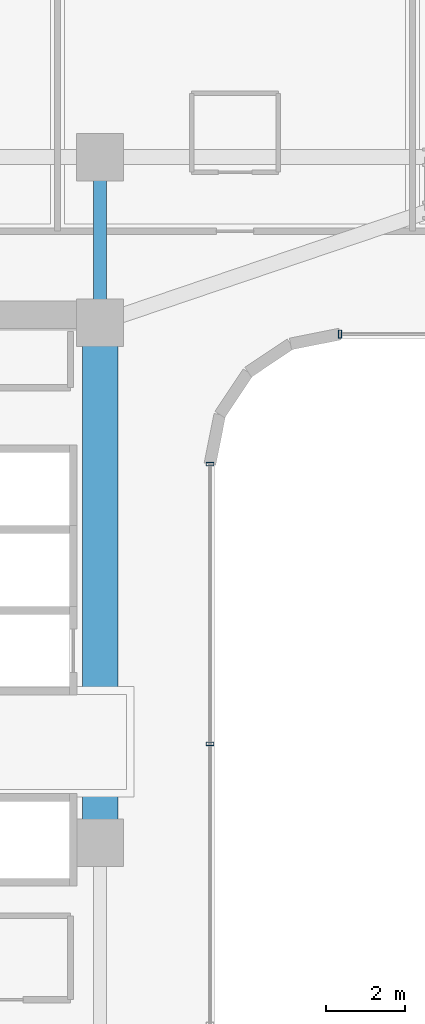
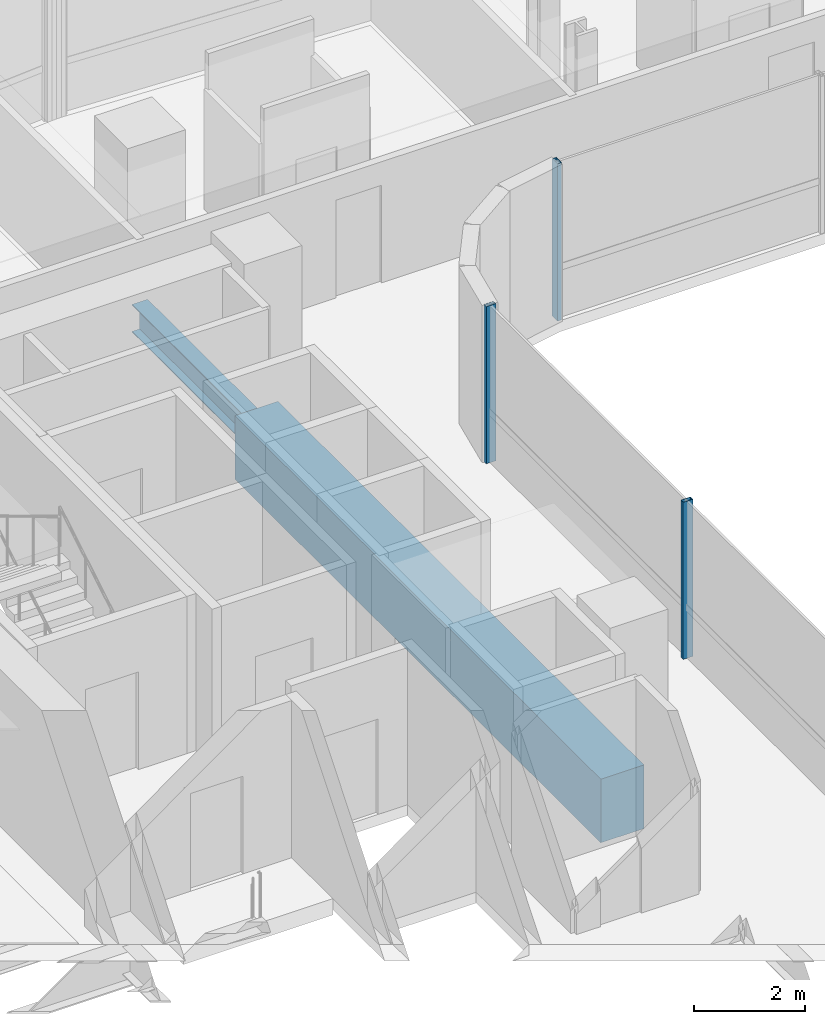
# One storey, part 9 of 35: 3 members, 2 beams, 2 elements without a shape of their own.
"""IFC4 building model written with IfcOpenShell, lengths in metres."""

from ifc_helpers import new_model, si_unit, direction, frame, origin, origin_2d, place, context, subcontext, project, spatial, rectangle, hollow_rectangle, i_section, extrude, source, transform, mapped, material, material_profile, profile_set, type_object, element, aggregate, save


model = new_model("IFC4")

# Units and contexts
model_context = context("Model", 3, precision=1e-05, world=origin(), true_north=direction((0.0, 1.0)))
body_context = subcontext(model_context, "Body", "Model", "MODEL_VIEW")
ifc_project = project(units=[si_unit("LENGTHUNIT", "METRE"), si_unit("AREAUNIT", "SQUARE_METRE"), si_unit("VOLUMEUNIT", "CUBIC_METRE"), si_unit("PLANEANGLEUNIT", "RADIAN"), si_unit("MASSUNIT", "GRAM", prefix="KILO")], contexts=[model_context])

# Site, building, storey
site_placement = place(None, origin())
site = spatial("IfcSite", under=ifc_project, at=site_placement, CompositionType="ELEMENT")
building_placement = place(site_placement, origin())
building = spatial("IfcBuilding", under=site, at=building_placement, Name="Valdorenza Pilgrim Sanctuary Tower", CompositionType="ELEMENT")
storey_placement = place(building_placement, frame((0.0, 0.0, 113.10009765625)))
storey = spatial("IfcBuildingStorey", under=building, at=storey_placement, Name="L28", CompositionType="ELEMENT", Elevation=113.10009765625)

# Beams
ifc_material_1 = material(Name="Concrete C60/75", Category="concrete")
ifc_material_profile_1 = material_profile(ifc_material_1, rectangle(XDim=0.89990234375, YDim=1.39990234375, at=origin_2d()), Name="RC 1400x900")
ifc_profile_set_1 = profile_set([ifc_material_profile_1], Name="Concrete C60/75")
beam_type_1 = type_object("IfcBeamType", Name="STR-BM-LNT-1400", PredefinedType="LINTEL", material=ifc_profile_set_1)
shared_shape_1 = source(origin(), body_context, "Body", "SweptSolid", [
    extrude(rectangle(XDim=0.89990234375, YDim=1.39990234375, at=origin_2d()), origin(), (0.0, 0.0, 1.0), 13.2001953125),
])
beam_1_placement = place(storey_placement, frame((-12.39990234375, -2.60009765625, -0.739990234375), z_axis=(0.0, 1.0, 0.0), x_axis=(-1.0, 0.0, 0.0)))
element("IfcBeam", 1, at=beam_1_placement, inside=storey, type_object=beam_type_1, Name="L28 Core A Coupling Lintel Girder", PredefinedType="LINTEL", context=body_context, shape_type="MappedRepresentation", body=[
    mapped(shared_shape_1, transform((0.0, 0.0, 0.0), x_axis=(1.0, 0.0, 0.0), y_axis=(0.0, 1.0, 0.0), z_axis=(0.0, 0.0, 1.0), scale=1.0)),
])
ifc_material_2 = material(Name="Steel ASTM A992 Grade 50", Category="steel")
ifc_material_profile_2 = material_profile(ifc_material_2, i_section(OverallWidth=0.323974609375, OverallDepth=0.611083984375, WebThickness=0.0126953125, FlangeThickness=0.01904296875, at=origin_2d()), Name="W24X104")
ifc_profile_set_2 = profile_set([ifc_material_profile_2], Name="Steel ASTM A992 Grade 50")
beam_type_2 = type_object("IfcBeamType", Name="STR-BM-GRD-W24B", PredefinedType="BEAM", material=ifc_profile_set_2)
shared_shape_2 = source(origin(), body_context, "Body", "SweptSolid", [
    extrude(i_section(OverallWidth=0.323974609375, OverallDepth=0.611083984375, WebThickness=0.0126953125, FlangeThickness=0.01904296875, at=origin_2d()), origin(), (0.0, 0.0, 1.0), 4.199951171875),
])
beam_2_placement = place(storey_placement, frame((-12.39990234375, 10.60009765625, -0.545654296875), z_axis=(0.0, 1.0, 0.0), x_axis=(-1.0, 0.0, 0.0)))
element("IfcBeam", 2, at=beam_2_placement, inside=storey, type_object=beam_type_2, Name="L28 Core Tie Girder CA-E-N1N2", PredefinedType="BEAM", context=body_context, shape_type="MappedRepresentation", body=[
    mapped(shared_shape_2, transform((0.0, 0.0, 0.0), x_axis=(1.0, 0.0, 0.0), y_axis=(0.0, 1.0, 0.0), z_axis=(0.0, 0.0, 1.0), scale=1.0)),
])

# Curtain wall, member
ifc_material_3 = material(Name="Curtain-wall IGU glazing", Category="glass")
curtain_wall_type = type_object("IfcCurtainWallType", Name="CW-SYS-02", PredefinedType="NOTDEFINED", material=ifc_material_3)
curtain_wall_1_placement = place(storey_placement, origin())
curtain_wall_1 = element("IfcCurtainWall", 3, at=curtain_wall_1_placement, inside=storey, type_object=curtain_wall_type, Name="L28 Curtain Wall CW-L28-1-36", PredefinedType="NOTDEFINED")
ifc_material_4 = material(Name="Anodised aluminium AW-6060", Category="aluminium")
ifc_material_profile_3 = material_profile(ifc_material_4, hollow_rectangle(XDim=0.0849609375, YDim=0.199951171875, WallThickness=0.0048828125, at=origin_2d()), Name="ALU-M 200x85x5")
ifc_profile_set_3 = profile_set([ifc_material_profile_3], Name="Anodised aluminium AW-6060")
member_type = type_object("IfcMemberType", Name="CW-MUL-02", PredefinedType="MULLION", material=ifc_profile_set_3)
shared_shape_3 = source(origin(), body_context, "Body", "SweptSolid", [
    extrude(hollow_rectangle(XDim=0.0849609375, YDim=0.199951171875, WallThickness=0.0048828125, at=origin_2d()), origin(), (0.0, 0.0, 1.0), 3.4599609375),
])
member_1_placement = place(storey_placement, frame((-6.310791015625, 10.31005859375, 0.0), z_axis=(0.0, 0.0, 1.0), x_axis=(-1.0, 0.0, 0.0)))
member_1 = element("IfcMember", 4, at=member_1_placement, type_object=member_type, Name="CW-L28-1-36 Mullion 4", PredefinedType="MULLION", context=body_context, shape_type="MappedRepresentation", body=[
    mapped(shared_shape_3, transform((0.0, 0.0, 0.0), x_axis=(1.0, 0.0, 0.0), y_axis=(0.0, 1.0, 0.0), z_axis=(0.0, 0.0, 1.0), scale=1.0)),
])
aggregate(curtain_wall_1, [member_1])

# Curtain wall, members
curtain_wall_2_placement = place(storey_placement, origin())
curtain_wall_2 = element("IfcCurtainWall", 5, at=curtain_wall_2_placement, inside=storey, type_object=curtain_wall_type, Name="L28 Curtain Wall CW-L28-1-41", PredefinedType="NOTDEFINED")
member_2_placement = place(storey_placement, frame((-9.610107421875, 7.0107421875, 0.0), z_axis=(0.0, 0.0, 1.0), x_axis=(0.0, -1.0, 0.0)))
member_2 = element("IfcMember", 6, at=member_2_placement, type_object=member_type, Name="CW-L28-1-41 Mullion 1", PredefinedType="MULLION", context=body_context, shape_type="MappedRepresentation", body=[
    mapped(shared_shape_3, transform((0.0, 0.0, 0.0), x_axis=(1.0, 0.0, 0.0), y_axis=(0.0, 1.0, 0.0), z_axis=(0.0, 0.0, 1.0), scale=1.0)),
])
member_3_placement = place(storey_placement, frame((-9.610107421875, -0.089111328125, 0.0), z_axis=(0.0, 0.0, 1.0), x_axis=(0.0, -1.0, 0.0)))
member_3 = element("IfcMember", 7, at=member_3_placement, type_object=member_type, Name="CW-L28-1-41 Mullion 2", PredefinedType="MULLION", context=body_context, shape_type="MappedRepresentation", body=[
    mapped(shared_shape_3, transform((0.0, 0.0, 0.0), x_axis=(1.0, 0.0, 0.0), y_axis=(0.0, 1.0, 0.0), z_axis=(0.0, 0.0, 1.0), scale=1.0)),
])
aggregate(curtain_wall_2, [member_2, member_3])

save(model, "model.ifc")
